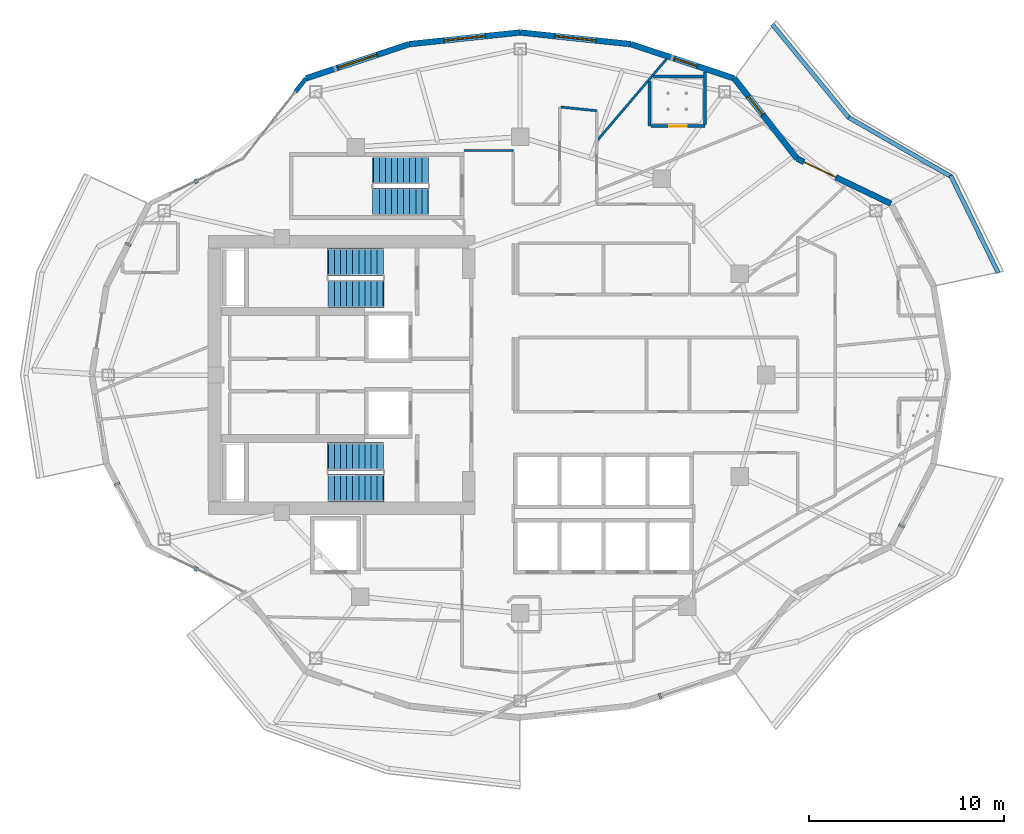
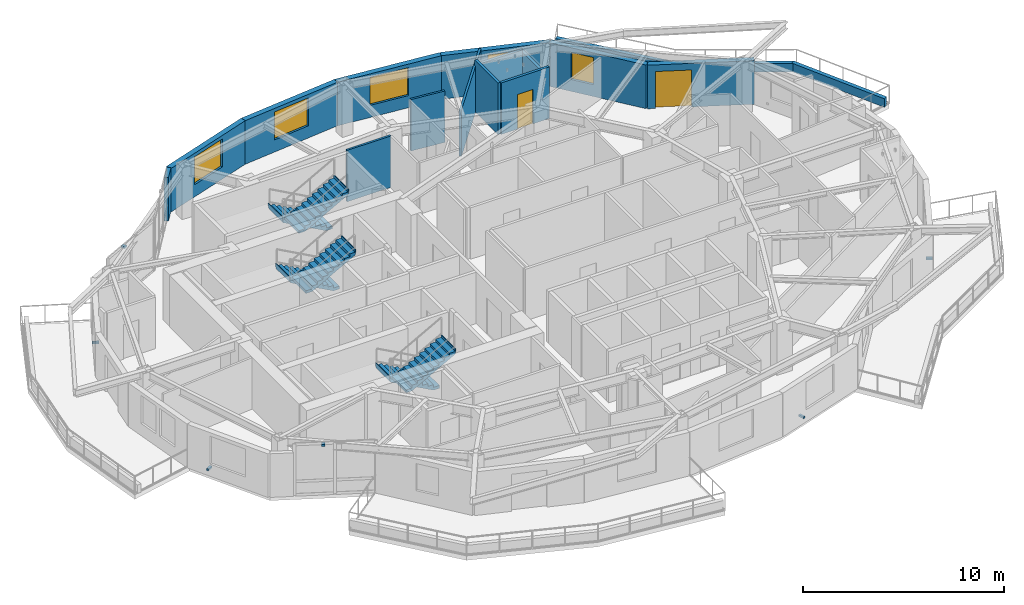
# One storey, part 11 of 16: 17 walls, 6 discrete accessories, 6 stair flights, 5 windows, 2 doors, 7 openings, 3 elements without a shape of their own.
"""IFC4 building model written with IfcOpenShell, lengths in metres."""

from ifc_helpers import new_model, si_unit, direction, frame, frame_2d, origin, origin_2d, place, context, subcontext, project, spatial, polyline, rectangle, outline, extrude, material, layer, layer_set, type_object, element, fill, aggregate, save


model = new_model("IFC4")

# Units and contexts
model_context = context("Model", 3, precision=1e-05, world=origin(), true_north=direction((0.0, 1.0)))
body_context = subcontext(model_context, "Body", "Model", "MODEL_VIEW")
ifc_project = project(units=[si_unit("LENGTHUNIT", "METRE"), si_unit("AREAUNIT", "SQUARE_METRE"), si_unit("VOLUMEUNIT", "CUBIC_METRE"), si_unit("PLANEANGLEUNIT", "RADIAN"), si_unit("MASSUNIT", "GRAM", prefix="KILO")], contexts=[model_context])

# Site, building, storey
site_placement = place(None, origin())
site = spatial("IfcSite", under=ifc_project, at=site_placement, CompositionType="ELEMENT")
building_placement = place(site_placement, origin())
building = spatial("IfcBuilding", under=site, at=building_placement, Name="Kolvaren Gate Tower and Convention Centre", CompositionType="ELEMENT")
storey_placement = place(building_placement, frame((0.0, 0.0, 149.5)))
storey = spatial("IfcBuildingStorey", under=building, at=storey_placement, Name="L38", CompositionType="ELEMENT", Elevation=149.5)

# Walls
ifc_material_1 = material(Name="Fire-Rated Acoustic Gypsum Stud Partition", Category="gypsum")
ifc_layer_1 = layer(ifc_material_1, 0.1201171875)
ifc_layer_set_1 = layer_set([ifc_layer_1], Name="Fire-Rated Acoustic Gypsum Stud Partition")
wall_type_1 = type_object("IfcWallType", Name="ARCH-WL-PART-120", PredefinedType="PARTITIONING", material=ifc_layer_set_1)
wall_1_placement = place(storey_placement, frame((27.25, 38.5, 0.0), z_axis=(0.0, 0.0, 1.0), x_axis=(1.0, 0.0, 0.0)))
element("IfcWall", 1, at=wall_1_placement, inside=storey, type_object=wall_type_1, Name="Interior Partition WL-L38-INT-031", PredefinedType="PARTITIONING", context=body_context, shape_type="SweptSolid", body=[
    extrude(rectangle(XDim=2.530029296875, YDim=0.1201171875, at=frame_2d((1.26513671875, 0.0))), origin(), (0.0, 0.0, 1.0), 3.1298828125),
])
wall_2_placement = place(storey_placement, frame((32.2119140625, 40.73046875, 0.0), z_axis=(0.0, 0.0, 1.0), x_axis=(0.994512688404, -0.1046160246, 0.0)))
element("IfcWall", 2, at=wall_2_placement, inside=storey, type_object=wall_type_1, Name="Interior Partition WL-L38-INT-039", PredefinedType="PARTITIONING", context=body_context, shape_type="SweptSolid", body=[
    extrude(rectangle(XDim=1.848388671875, YDim=0.1201171875, at=frame_2d((0.92431640625, 0.0))), origin(), (0.0, 0.0, 1.0), 3.1298828125),
])
wall_3_placement = place(storey_placement, frame((34.112060546875, 39.054931640625, 0.0), z_axis=(0.0, 0.0, 1.0), x_axis=(0.64805977237, 0.761589476973, 0.0)))
element("IfcWall", 3, at=wall_3_placement, inside=storey, type_object=wall_type_1, Name="Interior Partition WL-L38-INT-069", PredefinedType="PARTITIONING", context=body_context, shape_type="SweptSolid", body=[
    extrude(rectangle(XDim=5.425537109375, YDim=0.1201171875, at=frame_2d((2.712890625, 0.0))), origin(), (0.0, 0.0, 1.0), 2.81201171875),
])
ifc_material_2 = material(Name="Bogota Sabana Bush-Hammered Sandstone Cladding", Category="masonry")
ifc_layer_2 = layer(ifc_material_2, 0.219970703125)
ifc_layer_set_2 = layer_set([ifc_layer_2], Name="Bogota Sabana Bush-Hammered Sandstone Cladding")
wall_type_2 = type_object("IfcWallType", Name="ARCH-WL-PIER-220", PredefinedType="SOLIDWALL", material=ifc_layer_set_2)
wall_4_placement = place(storey_placement, frame((18.6162109375, 41.5087890625, 0.0), z_axis=(0.0, 0.0, 1.0), x_axis=(0.616368366719, 0.787457958566, 0.0)))
element("IfcWall", 4, at=wall_4_placement, inside=storey, type_object=wall_type_2, Name="Tower L38 Unitised Curtain Wall CW-HTL-UNIT Bay 08 Right Column Pier Wrap", PredefinedType="SOLIDWALL", context=body_context, shape_type="SweptSolid", body=[
    extrude(rectangle(XDim=0.876220703125, YDim=0.219970703125, at=frame_2d((0.43798828125, 0.0))), origin(), (0.0, 0.0, 1.0), 2.653076171875),
])
ifc_material_3 = material(Name="Piedmont Cream Honed Limestone Cladding", Category="masonry")
ifc_layer_3 = layer(ifc_material_3, 0.219970703125)
ifc_layer_set_3 = layer_set([ifc_layer_3], Name="Piedmont Cream Honed Limestone Cladding")
wall_type_3 = type_object("IfcWallType", Name="ARCH-WL-PLANTER-220", PredefinedType="PARAPET", material=ifc_layer_set_3)
wall_5_placement = place(storey_placement, frame((52.180419921875, 37.221435546875, 0.0), z_axis=(0.0, 0.0, 1.0), x_axis=(0.439637174641, -0.898175458735, 0.0)))
element("IfcWall", 5, at=wall_5_placement, inside=storey, type_object=wall_type_3, Name="Vertical-Forest Balcony Stone Planter Kerb PK-L38-1.1", PredefinedType="PARAPET", context=body_context, shape_type="SweptSolid", body=[
    extrude(rectangle(XDim=5.567138671875, YDim=0.219970703125, at=frame_2d((2.78369140625, 0.0))), origin(), (0.0, 0.0, 1.0), 0.52001953125),
])
wall_6_placement = place(storey_placement, frame((46.95751953125, 40.1953125, 0.0), z_axis=(0.0, 0.0, 1.0), x_axis=(0.866058128659, -0.499943314571, 0.0)))
element("IfcWall", 6, at=wall_6_placement, inside=storey, type_object=wall_type_3, Name="Vertical-Forest Balcony Stone Planter Kerb PK-L38-1.2", PredefinedType="PARAPET", context=body_context, shape_type="SweptSolid", body=[
    extrude(rectangle(XDim=6.060302734375, YDim=0.219970703125, at=frame_2d((3.0302734375, 0.0))), origin(), (0.0, 0.0, 1.0), 0.52001953125),
])
wall_7_placement = place(storey_placement, frame((43.0419921875, 44.96435546875, 0.0), z_axis=(0.0, 0.0, 1.0), x_axis=(0.634429234628, -0.77298094818, 0.0)))
element("IfcWall", 7, at=wall_7_placement, inside=storey, type_object=wall_type_3, Name="Vertical-Forest Balcony Stone Planter Kerb PK-L38-1.3", PredefinedType="PARAPET", context=body_context, shape_type="SweptSolid", body=[
    extrude(rectangle(XDim=6.244873046875, YDim=0.219970703125, at=frame_2d((3.12255859375, 0.0))), origin(), (0.0, 0.0, 1.0), 0.52001953125),
])

# Wall, opening, door
ifc_layer_4 = layer(ifc_material_3, 0.300048828125)
ifc_layer_set_4 = layer_set([ifc_layer_4], Name="Piedmont Cream Honed Limestone Cladding")
wall_type_4 = type_object("IfcWallType", Name="ARCH-WL-STONE-300", PredefinedType="SOLIDWALL", material=ifc_layer_set_4)
wall_8_placement = place(storey_placement, frame((44.3134765625, 38.0859375, 0.0), z_axis=(0.0, 0.0, 1.0), x_axis=(0.901353070301, -0.433085029363, 0.0)))
wall_8 = element("IfcWall", 8, at=wall_8_placement, inside=storey, type_object=wall_type_4, Name="Tower L38 Honed Stone Spandrel Wall EW-02", PredefinedType="SOLIDWALL", context=body_context, shape_type="SweptSolid", body=[
    extrude(rectangle(XDim=5.336181640625, YDim=0.300048828125, at=frame_2d((2.66796875, 0.0))), origin(), (0.0, 0.0, 1.0), 2.653076171875),
])
opening_1_placement = place(wall_8_placement, frame((0.39990234375, 0.0, 0.0)))
opening_1 = element("IfcOpeningElement", 9, at=opening_1_placement, cuts=wall_8, Name="Opening DB-01", PredefinedType="OPENING", context=body_context, shape_type="SweptSolid", body=[
    extrude(rectangle(XDim=1.800048828125, YDim=2.25, at=frame_2d((0.89990234375, 1.125))), frame((0.0, 0.159912109375, 0.0), z_axis=(0.0, -1.0, 0.0), x_axis=(1.0, 0.0, 0.0)), (0.0, 0.0, 1.0), 0.320068359375),
])
ifc_material_4 = material(Name="Anodized Architectural Aluminium Alloy 6063-T6", Category="aluminium")
door_type_1 = type_object("IfcDoorType", Name="ARCH-DR-BALC-1800", OperationType="SLIDING_TO_LEFT", PredefinedType="DOOR", material=ifc_material_4)
door_1_placement = place(opening_1_placement, origin())
door_1 = element("IfcDoor", 10, at=door_1_placement, inside=storey, type_object=door_type_1, Name="Planted Sky Terrace Access Door DB-L38-02", OperationType="SLIDING_TO_LEFT", OverallHeight=2.25, OverallWidth=1.800048828125, PredefinedType="DOOR", context=body_context, shape_type="SweptSolid", body=[
    extrude(rectangle(XDim=1.800048828125, YDim=2.25, at=frame_2d((0.89990234375, 1.125))), frame((0.0, 0.02490234375, 0.0), z_axis=(0.0, -1.0, 0.0), x_axis=(1.0, 0.0, 0.0)), (0.0, 0.0, 1.0), 0.050048828125),
])
fill(opening_1, door_1)

# Wall, opening, window
wall_9_placement = place(storey_placement, frame((41.09375, 42.19873046875, 0.0), z_axis=(0.0, 0.0, 1.0), x_axis=(0.616429245738, -0.787410302828, 0.0)))
wall_9 = element("IfcWall", 11, at=wall_9_placement, inside=storey, type_object=wall_type_4, Name="Tower L38 Honed Stone Spandrel Wall EW-03", PredefinedType="SOLIDWALL", context=body_context, shape_type="SweptSolid", body=[
    extrude(rectangle(XDim=5.22314453125, YDim=0.300048828125, at=frame_2d((2.611572265625, 0.0))), origin(), (0.0, 0.0, 1.0), 2.653076171875),
])
opening_2_placement = place(wall_9_placement, frame((1.179931640625, 0.0, 0.719970703125)))
opening_2 = element("IfcOpeningElement", 12, at=opening_2_placement, cuts=wall_9, Name="Opening W-04", PredefinedType="OPENING", context=body_context, shape_type="SweptSolid", body=[
    extrude(rectangle(XDim=1.199951171875, YDim=1.64990234375, at=frame_2d((0.60009765625, 0.824951171875))), frame((0.0, 0.159912109375, 0.0), z_axis=(0.0, -1.0, 0.0), x_axis=(1.0, 0.0, 0.0)), (0.0, 0.0, 1.0), 0.320068359375),
])
ifc_material_5 = material(Name="Low-E Triple Insulated Glazing Unit 44 mm", Category="glass")
window_type_1 = type_object("IfcWindowType", Name="ARCH-WN-NARROW-1200", PartitioningType="SINGLE_PANEL", PredefinedType="WINDOW", material=ifc_material_5)
window_1_placement = place(opening_2_placement, origin())
window_1 = element("IfcWindow", 13, at=window_1_placement, inside=storey, type_object=window_type_1, Name="Tower L38 Punched Stone Facade Window W-03", OverallHeight=1.64990234375, OverallWidth=1.199951171875, PartitioningType="SINGLE_PANEL", PredefinedType="WINDOW", context=body_context, shape_type="SweptSolid", body=[
    extrude(rectangle(XDim=1.199951171875, YDim=1.64990234375, at=frame_2d((0.60009765625, 0.824951171875))), frame((0.0, 0.030029296875, 0.0), z_axis=(0.0, -1.0, 0.0), x_axis=(1.0, 0.0, 0.0)), (0.0, 0.0, 1.0), 0.06005859375),
])
fill(opening_2, window_1)

wall_10_placement = place(storey_placement, frame((35.802734375, 43.951904296875, 0.0), z_axis=(0.0, 0.0, 1.0), x_axis=(0.949246811547, -0.314532177636, 0.0)))
wall_10 = element("IfcWall", 14, at=wall_10_placement, inside=storey, type_object=wall_type_4, Name="Tower L38 Honed Stone Spandrel Wall EW-04", PredefinedType="SOLIDWALL", context=body_context, shape_type="SweptSolid", body=[
    extrude(rectangle(XDim=5.573974609375, YDim=0.300048828125, at=frame_2d((2.787109375, 0.0))), origin(), (0.0, 0.0, 1.0), 2.653076171875),
])
opening_3_placement = place(wall_10_placement, frame((2.3798828125, 0.0, 0.719970703125)))
opening_3 = element("IfcOpeningElement", 15, at=opening_3_placement, cuts=wall_10, Name="Opening W-04", PredefinedType="OPENING", context=body_context, shape_type="SweptSolid", body=[
    extrude(rectangle(XDim=1.199951171875, YDim=1.64990234375, at=frame_2d((0.60009765625, 0.824951171875))), frame((0.0, 0.159912109375, 0.0), z_axis=(0.0, -1.0, 0.0), x_axis=(1.0, 0.0, 0.0)), (0.0, 0.0, 1.0), 0.320068359375),
])
window_2_placement = place(opening_3_placement, origin())
window_2 = element("IfcWindow", 16, at=window_2_placement, inside=storey, type_object=window_type_1, Name="Tower L38 Punched Stone Facade Window W-04", OverallHeight=1.64990234375, OverallWidth=1.199951171875, PartitioningType="SINGLE_PANEL", PredefinedType="WINDOW", context=body_context, shape_type="SweptSolid", body=[
    extrude(rectangle(XDim=1.199951171875, YDim=1.64990234375, at=frame_2d((0.60009765625, 0.824951171875))), frame((0.0, 0.030029296875, 0.0), z_axis=(0.0, -1.0, 0.0), x_axis=(1.0, 0.0, 0.0)), (0.0, 0.0, 1.0), 0.06005859375),
])
fill(opening_3, window_2)

wall_11_placement = place(storey_placement, frame((30.125, 44.550048828125, 0.0), z_axis=(0.0, 0.0, 1.0), x_axis=(0.994496545245, -0.104769372887, 0.0)))
wall_11 = element("IfcWall", 17, at=wall_11_placement, inside=storey, type_object=wall_type_4, Name="Tower L38 Honed Stone Spandrel Wall EW-05", PredefinedType="SOLIDWALL", context=body_context, shape_type="SweptSolid", body=[
    extrude(rectangle(XDim=5.709228515625, YDim=0.300048828125, at=frame_2d((2.8544921875, 0.0))), origin(), (0.0, 0.0, 1.0), 2.653076171875),
])
opening_4_placement = place(wall_11_placement, frame((1.804931640625, 0.0, 0.739990234375)))
opening_4 = element("IfcOpeningElement", 18, at=opening_4_placement, cuts=wall_11, Name="Opening W-02", PredefinedType="OPENING", context=body_context, shape_type="SweptSolid", body=[
    extrude(rectangle(XDim=2.10009765625, YDim=1.699951171875, at=frame_2d((1.050048828125, 0.85009765625))), frame((0.0, 0.159912109375, 0.0), z_axis=(0.0, -1.0, 0.0), x_axis=(1.0, 0.0, 0.0)), (0.0, 0.0, 1.0), 0.320068359375),
])
window_type_2 = type_object("IfcWindowType", Name="ARCH-WN-HTL-2100", PartitioningType="SINGLE_PANEL", PredefinedType="WINDOW", material=ifc_material_5)
window_3_placement = place(opening_4_placement, origin())
window_3 = element("IfcWindow", 19, at=window_3_placement, inside=storey, type_object=window_type_2, Name="Tower L38 Punched Stone Facade Window W-05", OverallHeight=1.699951171875, OverallWidth=2.10009765625, PartitioningType="SINGLE_PANEL", PredefinedType="WINDOW", context=body_context, shape_type="SweptSolid", body=[
    extrude(rectangle(XDim=2.10009765625, YDim=1.699951171875, at=frame_2d((1.050048828125, 0.85009765625))), frame((0.0, 0.030029296875, 0.0), z_axis=(0.0, -1.0, 0.0), x_axis=(1.0, 0.0, 0.0)), (0.0, 0.0, 1.0), 0.06005859375),
])
fill(opening_4, window_3)

wall_12_placement = place(storey_placement, frame((24.447265625, 43.951904296875, 0.0), z_axis=(0.0, 0.0, 1.0), x_axis=(0.994496545245, 0.104769372887, 0.0)))
wall_12 = element("IfcWall", 20, at=wall_12_placement, inside=storey, type_object=wall_type_4, Name="Tower L38 Honed Stone Spandrel Wall EW-06", PredefinedType="SOLIDWALL", context=body_context, shape_type="SweptSolid", body=[
    extrude(rectangle(XDim=5.709228515625, YDim=0.300048828125, at=frame_2d((2.8544921875, 0.0))), origin(), (0.0, 0.0, 1.0), 2.653076171875),
])
opening_5_placement = place(wall_12_placement, frame((1.804931640625, 0.0, 0.739990234375)))
opening_5 = element("IfcOpeningElement", 21, at=opening_5_placement, cuts=wall_12, Name="Opening W-02", PredefinedType="OPENING", context=body_context, shape_type="SweptSolid", body=[
    extrude(rectangle(XDim=2.10009765625, YDim=1.699951171875, at=frame_2d((1.050048828125, 0.85009765625))), frame((0.0, 0.159912109375, 0.0), z_axis=(0.0, -1.0, 0.0), x_axis=(1.0, 0.0, 0.0)), (0.0, 0.0, 1.0), 0.320068359375),
])
window_4_placement = place(opening_5_placement, origin())
window_4 = element("IfcWindow", 22, at=window_4_placement, inside=storey, type_object=window_type_2, Name="Tower L38 Punched Stone Facade Window W-06", OverallHeight=1.699951171875, OverallWidth=2.10009765625, PartitioningType="SINGLE_PANEL", PredefinedType="WINDOW", context=body_context, shape_type="SweptSolid", body=[
    extrude(rectangle(XDim=2.10009765625, YDim=1.699951171875, at=frame_2d((1.050048828125, 0.85009765625))), frame((0.0, 0.030029296875, 0.0), z_axis=(0.0, -1.0, 0.0), x_axis=(1.0, 0.0, 0.0)), (0.0, 0.0, 1.0), 0.06005859375),
])
fill(opening_5, window_4)

wall_13_placement = place(storey_placement, frame((19.15625, 42.19873046875, 0.0), z_axis=(0.0, 0.0, 1.0), x_axis=(0.949246811547, 0.314532177636, 0.0)))
wall_13 = element("IfcWall", 23, at=wall_13_placement, inside=storey, type_object=wall_type_4, Name="Tower L38 Honed Stone Spandrel Wall EW-07", PredefinedType="SOLIDWALL", context=body_context, shape_type="SweptSolid", body=[
    extrude(rectangle(XDim=5.573974609375, YDim=0.300048828125, at=frame_2d((2.787109375, 0.0))), origin(), (0.0, 0.0, 1.0), 2.653076171875),
])
opening_6_placement = place(wall_13_placement, frame((1.737060546875, 0.0, 0.739990234375)))
opening_6 = element("IfcOpeningElement", 24, at=opening_6_placement, cuts=wall_13, Name="Opening W-02", PredefinedType="OPENING", context=body_context, shape_type="SweptSolid", body=[
    extrude(rectangle(XDim=2.10009765625, YDim=1.699951171875, at=frame_2d((1.050048828125, 0.85009765625))), frame((0.0, 0.159912109375, 0.0), z_axis=(0.0, -1.0, 0.0), x_axis=(1.0, 0.0, 0.0)), (0.0, 0.0, 1.0), 0.320068359375),
])
window_5_placement = place(opening_6_placement, origin())
window_5 = element("IfcWindow", 25, at=window_5_placement, inside=storey, type_object=window_type_2, Name="Tower L38 Punched Stone Facade Window W-07", OverallHeight=1.699951171875, OverallWidth=2.10009765625, PartitioningType="SINGLE_PANEL", PredefinedType="WINDOW", context=body_context, shape_type="SweptSolid", body=[
    extrude(rectangle(XDim=2.10009765625, YDim=1.699951171875, at=frame_2d((1.050048828125, 0.85009765625))), frame((0.0, 0.030029296875, 0.0), z_axis=(0.0, -1.0, 0.0), x_axis=(1.0, 0.0, 0.0)), (0.0, 0.0, 1.0), 0.06005859375),
])
fill(opening_6, window_5)

# Wall
ifc_material_6 = material(Name="Moisture-Resistant Cement-Board Acoustic Partition", Category="gypsum")
ifc_layer_5 = layer(ifc_material_6, 0.14990234375)
ifc_layer_set_5 = layer_set([ifc_layer_5], Name="Moisture-Resistant Cement-Board Acoustic Partition")
wall_type_5 = type_object("IfcWallType", Name="ARCH-WL-WET-150", PredefinedType="PARTITIONING", material=ifc_layer_set_5)
wall_14_placement = place(storey_placement, frame((36.75, 39.75, 0.0), z_axis=(0.0, 0.0, 1.0), x_axis=(0.0, 1.0, 0.0)))
element("IfcWall", 26, at=wall_14_placement, inside=storey, type_object=wall_type_5, Name="Interior Partition WL-L38-INT-070", PredefinedType="PARTITIONING", context=body_context, shape_type="SweptSolid", body=[
    extrude(rectangle(XDim=2.309326171875, YDim=0.14990234375, at=frame_2d((1.15478515625, 0.0))), origin(), (0.0, 0.0, 1.0), 3.1298828125),
])

# Wall, opening, door
wall_15_placement = place(storey_placement, frame((36.826904296875, 39.75, 0.0), z_axis=(0.0, 0.0, 1.0), x_axis=(1.0, 0.0, 0.0)))
wall_15 = element("IfcWall", 27, at=wall_15_placement, inside=storey, type_object=wall_type_5, Name="Interior Partition WL-L38-INT-071", PredefinedType="PARTITIONING", context=body_context, shape_type="SweptSolid", body=[
    extrude(rectangle(XDim=2.773193359375, YDim=0.14990234375, at=frame_2d((1.38671875, 0.0))), origin(), (0.0, 0.0, 1.0), 3.1298828125),
])
opening_7_placement = place(wall_15_placement, frame((0.9365234375, 0.0, 0.0)))
opening_7 = element("IfcOpeningElement", 28, at=opening_7_placement, cuts=wall_15, Name="Opening DW-01", PredefinedType="OPENING", context=body_context, shape_type="SweptSolid", body=[
    extrude(rectangle(XDim=0.89990234375, YDim=2.10009765625, at=frame_2d((0.449951171875, 1.050048828125))), frame((0.0, 0.0849609375, 0.0), z_axis=(0.0, -1.0, 0.0), x_axis=(1.0, 0.0, 0.0)), (0.0, 0.0, 1.0), 0.169921875),
])
ifc_material_7 = material(Name="FSC Andean Oak Engineered Veneer Door Leaf", Category="wood")
door_type_2 = type_object("IfcDoorType", Name="ARCH-DR-WC-900", OperationType="SINGLE_SWING_RIGHT", PredefinedType="DOOR", material=ifc_material_7)
door_2_placement = place(opening_7_placement, origin())
door_2 = element("IfcDoor", 29, at=door_2_placement, inside=storey, type_object=door_type_2, Name="En-suite Bathroom (HTL-L38-09) Door", OperationType="SINGLE_SWING_LEFT", OverallHeight=2.10009765625, OverallWidth=0.89990234375, PredefinedType="DOOR", context=body_context, shape_type="SweptSolid", body=[
    extrude(rectangle(XDim=0.89990234375, YDim=2.10009765625, at=frame_2d((0.449951171875, 1.050048828125))), frame((0.0, 0.02490234375, 0.0), z_axis=(0.0, -1.0, 0.0), x_axis=(1.0, 0.0, 0.0)), (0.0, 0.0, 1.0), 0.050048828125),
])
fill(opening_7, door_2)

# Walls
wall_16_placement = place(storey_placement, frame((39.60009765625, 39.826904296875, 0.0), z_axis=(0.0, 0.0, 1.0), x_axis=(0.0, 1.0, 0.0)))
element("IfcWall", 30, at=wall_16_placement, inside=storey, type_object=wall_type_5, Name="Interior Partition WL-L38-INT-072", PredefinedType="PARTITIONING", context=body_context, shape_type="SweptSolid", body=[
    extrude(rectangle(XDim=2.706787109375, YDim=0.14990234375, at=frame_2d((1.353515625, 0.0))), origin(), (0.0, 0.0, 1.0), 2.5048828125),
])
wall_17_placement = place(storey_placement, frame((36.95458984375, 42.300048828125, 0.0), z_axis=(0.0, 0.0, 1.0), x_axis=(1.0, 0.0, 0.0)))
element("IfcWall", 31, at=wall_17_placement, inside=storey, type_object=wall_type_5, Name="Interior Partition WL-L38-INT-073", PredefinedType="PARTITIONING", context=body_context, shape_type="SweptSolid", body=[
    extrude(rectangle(XDim=2.568359375, YDim=0.14990234375, at=frame_2d((1.2841796875, 0.0))), origin(), (0.0, 0.0, 1.0), 2.653076171875),
])

# Stair, stair flights
ifc_material_8 = material(Name="Concrete C50/60", Category="concrete")
stair_type = type_object("IfcStairType", Name="STR-STAIR-CORE", PredefinedType="HALF_TURN_STAIR", material=ifc_material_8)
stair_1_placement = place(storey_placement, origin())
stair_1 = element("IfcStair", 32, at=stair_1_placement, inside=storey, type_object=stair_type, Name="L38 Tower North Exit Stair ST-T1", PredefinedType="HALF_TURN_STAIR")
stair_flight_type = type_object("IfcStairFlightType", Name="STR-SFL-1420", PredefinedType="STRAIGHT", material=ifc_material_8)
stair_flight_1_placement = place(storey_placement, frame((23.10009765625, 32.7900390625, 0.0), z_axis=(0.0, 0.0, 1.0), x_axis=(-1.0, 0.0, 0.0)))
stair_flight_1 = element("IfcStairFlight", 33, at=stair_flight_1_placement, type_object=stair_flight_type, Name="ST-T1 flight 1", NumberOfRisers=10, NumberOfTreads=9, PredefinedType="STRAIGHT", RiserHeight=0.17, TreadLength=0.31, context=body_context, shape_type="SweptSolid", body=[
    extrude(outline(polyline([(-0.034912109375, 0.0), (-0.034912109375, 0.169921875), (0.31005859375, 0.169921875), (0.31005859375, 0.340087890625), (0.6201171875, 0.340087890625), (0.6201171875, 0.510009765625), (0.929931640625, 0.510009765625), (0.929931640625, 0.679931640625), (1.239990234375, 0.679931640625), (1.239990234375, 0.85009765625), (1.550048828125, 0.85009765625), (1.550048828125, 1.02001953125), (1.860107421875, 1.02001953125), (1.860107421875, 1.18994140625), (2.169921875, 1.18994140625), (2.169921875, 1.360107421875), (2.47998046875, 1.360107421875), (2.47998046875, 1.530029296875), (2.7900390625, 1.530029296875), (2.7900390625, 1.699951171875), (2.8349609375, 1.699951171875), (2.8349609375, 1.5400390625), (2.7900390625, 1.359130859375), (0.311767578125, 0.0), (-0.034912109375, 0.0)])), frame((0.0, 0.7099609375, 0.0), z_axis=(0.0, -1.0, 0.0), x_axis=(1.0, 0.0, 0.0)), (0.0, 0.0, 1.0), 1.419921875),
])
stair_flight_2_placement = place(storey_placement, frame((20.31005859375, 31.169921875, 1.699951171875), z_axis=(0.0, 0.0, 1.0), x_axis=(1.0, 0.0, 0.0)))
stair_flight_2 = element("IfcStairFlight", 34, at=stair_flight_2_placement, type_object=stair_flight_type, Name="ST-T1 flight 2", NumberOfRisers=10, NumberOfTreads=9, PredefinedType="STRAIGHT", RiserHeight=0.17, TreadLength=0.31, context=body_context, shape_type="SweptSolid", body=[
    extrude(outline(polyline([(-0.034912109375, 0.0), (-0.034912109375, 0.169921875), (0.31005859375, 0.169921875), (0.31005859375, 0.340087890625), (0.6201171875, 0.340087890625), (0.6201171875, 0.510009765625), (0.929931640625, 0.510009765625), (0.929931640625, 0.679931640625), (1.239990234375, 0.679931640625), (1.239990234375, 0.85009765625), (1.550048828125, 0.85009765625), (1.550048828125, 1.02001953125), (1.860107421875, 1.02001953125), (1.860107421875, 1.18994140625), (2.169921875, 1.18994140625), (2.169921875, 1.360107421875), (2.47998046875, 1.360107421875), (2.47998046875, 1.530029296875), (2.7900390625, 1.530029296875), (2.7900390625, 1.699951171875), (2.8349609375, 1.699951171875), (2.8349609375, 1.5400390625), (2.7900390625, 1.359130859375), (0.311767578125, 0.0), (-0.034912109375, 0.0)])), frame((0.0, 0.7099609375, 0.0), z_axis=(0.0, -1.0, 0.0), x_axis=(1.0, 0.0, 0.0)), (0.0, 0.0, 1.0), 1.419921875),
])
aggregate(stair_1, [stair_flight_1, stair_flight_2])

stair_2_placement = place(storey_placement, origin())
stair_2 = element("IfcStair", 35, at=stair_2_placement, inside=storey, type_object=stair_type, Name="L38 Tower South Exit Stair ST-T2", PredefinedType="HALF_TURN_STAIR")
stair_flight_3_placement = place(storey_placement, frame((23.10009765625, 22.830078125, 0.0), z_axis=(0.0, 0.0, 1.0), x_axis=(-1.0, 0.0, 0.0)))
stair_flight_3 = element("IfcStairFlight", 36, at=stair_flight_3_placement, type_object=stair_flight_type, Name="ST-T2 flight 1", NumberOfRisers=10, NumberOfTreads=9, PredefinedType="STRAIGHT", RiserHeight=0.17, TreadLength=0.31, context=body_context, shape_type="SweptSolid", body=[
    extrude(outline(polyline([(-0.034912109375, 0.0), (-0.034912109375, 0.169921875), (0.31005859375, 0.169921875), (0.31005859375, 0.340087890625), (0.6201171875, 0.340087890625), (0.6201171875, 0.510009765625), (0.929931640625, 0.510009765625), (0.929931640625, 0.679931640625), (1.239990234375, 0.679931640625), (1.239990234375, 0.85009765625), (1.550048828125, 0.85009765625), (1.550048828125, 1.02001953125), (1.860107421875, 1.02001953125), (1.860107421875, 1.18994140625), (2.169921875, 1.18994140625), (2.169921875, 1.360107421875), (2.47998046875, 1.360107421875), (2.47998046875, 1.530029296875), (2.7900390625, 1.530029296875), (2.7900390625, 1.699951171875), (2.8349609375, 1.699951171875), (2.8349609375, 1.5400390625), (2.7900390625, 1.359130859375), (0.311767578125, 0.0), (-0.034912109375, 0.0)])), frame((0.0, 0.7099609375, 0.0), z_axis=(0.0, -1.0, 0.0), x_axis=(1.0, 0.0, 0.0)), (0.0, 0.0, 1.0), 1.419921875),
])
stair_flight_4_placement = place(storey_placement, frame((20.31005859375, 21.2099609375, 1.699951171875), z_axis=(0.0, 0.0, 1.0), x_axis=(1.0, 0.0, 0.0)))
stair_flight_4 = element("IfcStairFlight", 37, at=stair_flight_4_placement, type_object=stair_flight_type, Name="ST-T2 flight 2", NumberOfRisers=10, NumberOfTreads=9, PredefinedType="STRAIGHT", RiserHeight=0.17, TreadLength=0.31, context=body_context, shape_type="SweptSolid", body=[
    extrude(outline(polyline([(-0.034912109375, 0.0), (-0.034912109375, 0.169921875), (0.31005859375, 0.169921875), (0.31005859375, 0.340087890625), (0.6201171875, 0.340087890625), (0.6201171875, 0.510009765625), (0.929931640625, 0.510009765625), (0.929931640625, 0.679931640625), (1.239990234375, 0.679931640625), (1.239990234375, 0.85009765625), (1.550048828125, 0.85009765625), (1.550048828125, 1.02001953125), (1.860107421875, 1.02001953125), (1.860107421875, 1.18994140625), (2.169921875, 1.18994140625), (2.169921875, 1.360107421875), (2.47998046875, 1.360107421875), (2.47998046875, 1.530029296875), (2.7900390625, 1.530029296875), (2.7900390625, 1.699951171875), (2.8349609375, 1.699951171875), (2.8349609375, 1.5400390625), (2.7900390625, 1.359130859375), (0.311767578125, 0.0), (-0.034912109375, 0.0)])), frame((0.0, 0.7099609375, 0.0), z_axis=(0.0, -1.0, 0.0), x_axis=(1.0, 0.0, 0.0)), (0.0, 0.0, 1.0), 1.419921875),
])
aggregate(stair_2, [stair_flight_3, stair_flight_4])

stair_3_placement = place(storey_placement, origin())
stair_3 = element("IfcStair", 38, at=stair_3_placement, inside=storey, type_object=stair_type, Name="L38 Tower Mid-Zone Exit Stair ST-T3", PredefinedType="HALF_TURN_STAIR")
stair_flight_5_placement = place(storey_placement, frame((25.39990234375, 37.489990234375, 0.0), z_axis=(0.0, 0.0, 1.0), x_axis=(-1.0, 0.0, 0.0)))
stair_flight_5 = element("IfcStairFlight", 39, at=stair_flight_5_placement, type_object=stair_flight_type, Name="ST-T3 flight 1", NumberOfRisers=10, NumberOfTreads=9, PredefinedType="STRAIGHT", RiserHeight=0.17, TreadLength=0.31, context=body_context, shape_type="SweptSolid", body=[
    extrude(outline(polyline([(-0.034912109375, 0.0), (-0.034912109375, 0.169921875), (0.31005859375, 0.169921875), (0.31005859375, 0.340087890625), (0.6201171875, 0.340087890625), (0.6201171875, 0.510009765625), (0.929931640625, 0.510009765625), (0.929931640625, 0.679931640625), (1.239990234375, 0.679931640625), (1.239990234375, 0.85009765625), (1.550048828125, 0.85009765625), (1.550048828125, 1.02001953125), (1.860107421875, 1.02001953125), (1.860107421875, 1.18994140625), (2.169921875, 1.18994140625), (2.169921875, 1.360107421875), (2.47998046875, 1.360107421875), (2.47998046875, 1.530029296875), (2.7900390625, 1.530029296875), (2.7900390625, 1.699951171875), (2.8349609375, 1.699951171875), (2.8349609375, 1.5400390625), (2.7900390625, 1.359130859375), (0.311767578125, 0.0), (-0.034912109375, 0.0)])), frame((0.0, 0.7099609375, 0.0), z_axis=(0.0, -1.0, 0.0), x_axis=(1.0, 0.0, 0.0)), (0.0, 0.0, 1.0), 1.419921875),
])
stair_flight_6_placement = place(storey_placement, frame((22.610107421875, 35.8701171875, 1.699951171875), z_axis=(0.0, 0.0, 1.0), x_axis=(1.0, 0.0, 0.0)))
stair_flight_6 = element("IfcStairFlight", 40, at=stair_flight_6_placement, type_object=stair_flight_type, Name="ST-T3 flight 2", NumberOfRisers=10, NumberOfTreads=9, PredefinedType="STRAIGHT", RiserHeight=0.17, TreadLength=0.31, context=body_context, shape_type="SweptSolid", body=[
    extrude(outline(polyline([(-0.034912109375, 0.0), (-0.034912109375, 0.169921875), (0.31005859375, 0.169921875), (0.31005859375, 0.340087890625), (0.6201171875, 0.340087890625), (0.6201171875, 0.510009765625), (0.929931640625, 0.510009765625), (0.929931640625, 0.679931640625), (1.239990234375, 0.679931640625), (1.239990234375, 0.85009765625), (1.550048828125, 0.85009765625), (1.550048828125, 1.02001953125), (1.860107421875, 1.02001953125), (1.860107421875, 1.18994140625), (2.169921875, 1.18994140625), (2.169921875, 1.360107421875), (2.47998046875, 1.360107421875), (2.47998046875, 1.530029296875), (2.7900390625, 1.530029296875), (2.7900390625, 1.699951171875), (2.8349609375, 1.699951171875), (2.8349609375, 1.5400390625), (2.7900390625, 1.359130859375), (0.311767578125, 0.0), (-0.034912109375, 0.0)])), frame((0.0, 0.7099609375, 0.0), z_axis=(0.0, -1.0, 0.0), x_axis=(1.0, 0.0, 0.0)), (0.0, 0.0, 1.0), 1.419921875),
])
aggregate(stair_3, [stair_flight_5, stair_flight_6])

# Discrete accessories
discrete_accessory_type = type_object("IfcDiscreteAccessoryType", Name="ARCH-ACC-BRACKET-120", PredefinedType="BRACKET", material=ifc_material_4)
discrete_accessory_1_placement = place(storey_placement, frame((13.531494140625, 36.930419921875, 2.949951171875), z_axis=(0.0, 0.0, 1.0), x_axis=(0.901358389955, 0.433073957723, 0.0)))
element("IfcDiscreteAccessory", 41, at=discrete_accessory_1_placement, inside=storey, type_object=discrete_accessory_type, Name="Solar Screen Spandrel Anchor Bracket BK-L38-09", PredefinedType="BRACKET", context=body_context, shape_type="SweptSolid", body=[
    extrude(rectangle(XDim=0.179931640625, YDim=0.219970703125, at=origin_2d()), origin(), (0.0, 0.0, 1.0), 0.1201171875),
])
for number, where, z_axis, x_axis, name in (
    (42, (10.047607421875, 33.69140625, 0.2900390625), (0.0, 0.0, 1.0), (0.459798409467, 0.888023323259, 0.0), "Ceramic Fin Wall Anchor Bracket FBK-L38-10"),
    (43, (9.474365234375, 21.416015625, 0.2900390625), (0.0, 0.0, 1.0), (0.459798409467, -0.888023323259, 0.0), "Ceramic Fin Wall Anchor Bracket FBK-L38-13"),
):
    element("IfcDiscreteAccessory", number, at=place(storey_placement, frame(where, z_axis=z_axis, x_axis=x_axis)), inside=storey, type_object=discrete_accessory_type, Name=name, PredefinedType="BRACKET", context=body_context, shape_type="SweptSolid", body=[
        extrude(rectangle(XDim=0.1201171875, YDim=0.320068359375, at=origin_2d()), origin(), (0.0, 0.0, 1.0), 0.1201171875),
    ])
discrete_accessory_2_placement = place(storey_placement, frame((13.531494140625, 17.069580078125, 2.949951171875), z_axis=(0.0, 0.0, 1.0), x_axis=(0.901358389955, -0.433073957723, 0.0)))
element("IfcDiscreteAccessory", 44, at=discrete_accessory_2_placement, inside=storey, type_object=discrete_accessory_type, Name="Solar Screen Spandrel Anchor Bracket BK-L38-14", PredefinedType="BRACKET", context=body_context, shape_type="SweptSolid", body=[
    extrude(rectangle(XDim=0.179931640625, YDim=0.219970703125, at=origin_2d()), origin(), (0.0, 0.0, 1.0), 0.1201171875),
])
for number, where, z_axis, x_axis, name in (
    (45, (37.2998046875, 10.544189453125, 0.2900390625), (0.0, 0.0, 1.0), (0.949239532616, 0.314554144335, 0.0), "Ceramic Fin Wall Anchor Bracket FBK-L38-19"),
    (46, (49.66259765625, 19.2666015625, 0.2900390625), (0.0, 0.0, 1.0), (0.459798409467, 0.888023323259, 0.0), "Ceramic Fin Wall Anchor Bracket FBK-L38-22"),
):
    element("IfcDiscreteAccessory", number, at=place(storey_placement, frame(where, z_axis=z_axis, x_axis=x_axis)), inside=storey, type_object=discrete_accessory_type, Name=name, PredefinedType="BRACKET", context=body_context, shape_type="SweptSolid", body=[
        extrude(rectangle(XDim=0.1201171875, YDim=0.320068359375, at=origin_2d()), origin(), (0.0, 0.0, 1.0), 0.1201171875),
    ])

save(model, "model.ifc")
